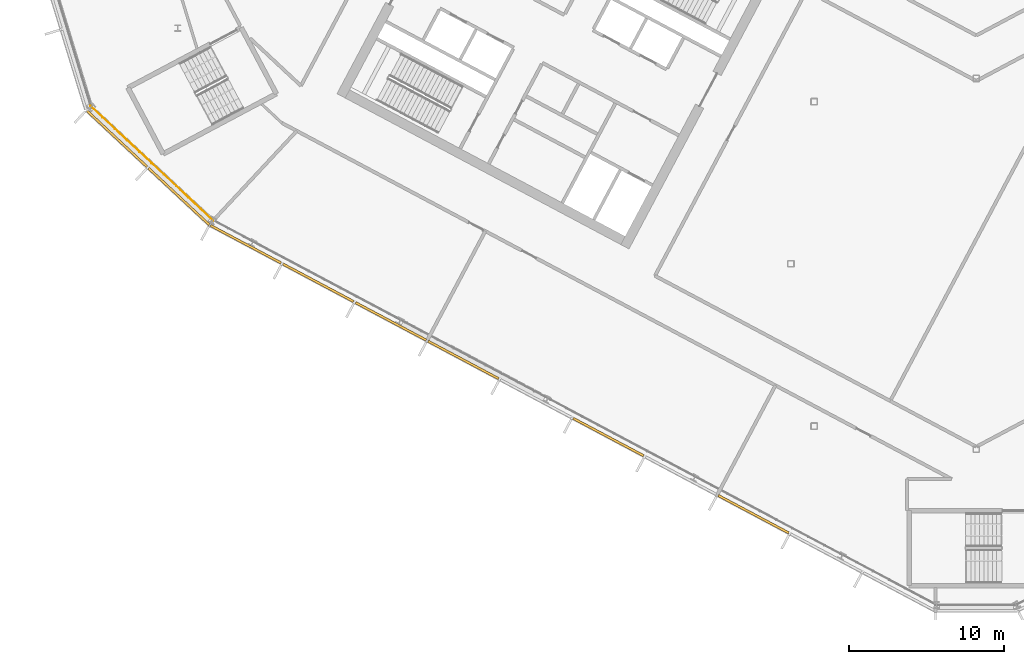
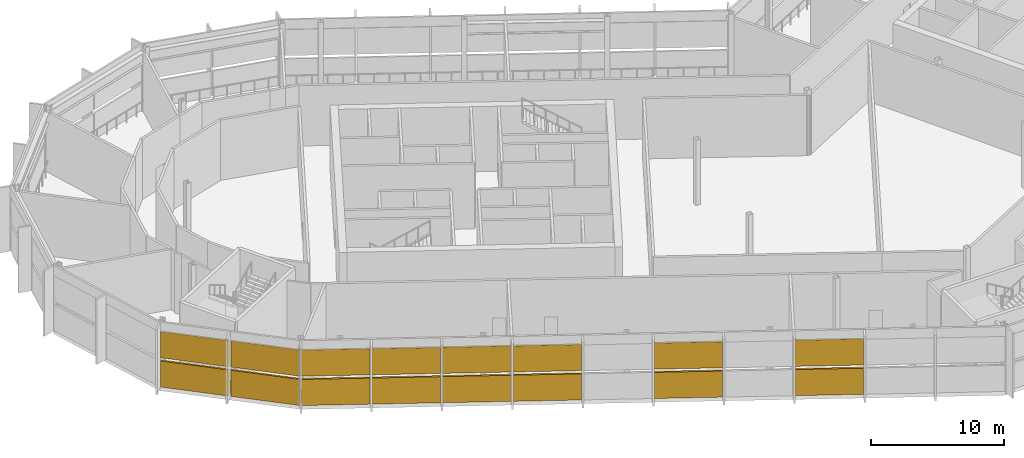
# One storey, part 21 of 33: 16 shading devices, 1 railing, 2 elements without a shape of their own.
"""IFC4 building model written with IfcOpenShell, lengths in metres."""

from ifc_helpers import new_model, si_unit, direction, frame, origin, origin_2d, place, context, subcontext, project, spatial, polyline, rectangle, outline, extrude, material, layer, layer_set, type_object, element, aggregate, save


model = new_model("IFC4")

# Units and contexts
model_context = context("Model", 3, precision=1e-05, world=origin(), true_north=direction((0.0, 1.0)))
body_context = subcontext(model_context, "Body", "Model", "MODEL_VIEW")
ifc_project = project(units=[si_unit("LENGTHUNIT", "METRE"), si_unit("AREAUNIT", "SQUARE_METRE"), si_unit("VOLUMEUNIT", "CUBIC_METRE"), si_unit("PLANEANGLEUNIT", "RADIAN"), si_unit("MASSUNIT", "GRAM", prefix="KILO")], contexts=[model_context])

# Site, building, storey
site_placement = place(None, origin())
site = spatial("IfcSite", under=ifc_project, at=site_placement, CompositionType="ELEMENT")
building_placement = place(site_placement, origin())
building = spatial("IfcBuilding", under=site, at=building_placement, Name="Cormorant Relay Tower", CompositionType="ELEMENT")
storey_placement = place(building_placement, frame((0.0, 0.0, 252.0)))
storey = spatial("IfcBuildingStorey", under=building, at=storey_placement, Name="L56", CompositionType="ELEMENT", Elevation=252.0)

# Railing
ifc_material_1 = material(Name="Stainless steel 316 guard", Category="steel")
railing_type = type_object("IfcRailingType", Name="Band louvre guard 1100", PredefinedType="GUARDRAIL", material=ifc_material_1)
railing_placement = place(storey_placement, frame((-57.337158203125, 10.21728515625, 0.0)))
element("IfcRailing", 1, at=railing_placement, inside=storey, type_object=railing_type, Name="CW4 guard 15", PredefinedType="GUARDRAIL", context=body_context, shape_type="SweptSolid", body=[
    extrude(outline(polyline([(0.022216796875, 0.00927734375), (0.00927734375, 0.022216796875), (-0.00927734375, 0.022216796875), (-0.022216796875, 0.00927734375), (-0.022216796875, -0.00927734375), (-0.00927734375, -0.022216796875), (0.00927734375, -0.022216796875), (0.022216796875, -0.00927734375), (0.022216796875, 0.00927734375)])), frame((0.0, 0.0, 1.076171875), z_axis=(0.731358420696, -0.681993299437, 0.0), x_axis=(0.681993299437, 0.731358420696, 0.0)), (0.0, 0.0, 1.0), 10.870361328125),
    extrude(outline(polyline([(0.019287109375, 0.008056640625), (0.008056640625, 0.019287109375), (-0.008056640625, 0.019287109375), (-0.019287109375, 0.008056640625), (-0.019287109375, -0.008056640625), (-0.008056640625, -0.019287109375), (0.008056640625, -0.019287109375), (0.019287109375, -0.008056640625), (0.019287109375, 0.008056640625)])), origin(), (0.0, 0.0, 1.0), 1.052001953125),
    extrude(outline(polyline([(0.019287109375, 0.008056640625), (0.008056640625, 0.019287109375), (-0.008056640625, 0.019287109375), (-0.019287109375, 0.008056640625), (-0.019287109375, -0.008056640625), (-0.008056640625, -0.019287109375), (0.008056640625, -0.019287109375), (0.019287109375, -0.008056640625), (0.019287109375, 0.008056640625)])), frame((0.794921875, -0.741455078125, 0.0)), (0.0, 0.0, 1.0), 1.052001953125),
    extrude(outline(polyline([(0.019287109375, 0.008056640625), (0.008056640625, 0.019287109375), (-0.008056640625, 0.019287109375), (-0.019287109375, 0.008056640625), (-0.019287109375, -0.008056640625), (-0.008056640625, -0.019287109375), (0.008056640625, -0.019287109375), (0.019287109375, -0.008056640625), (0.019287109375, 0.008056640625)])), frame((1.590087890625, -1.482666015625, 0.0)), (0.0, 0.0, 1.0), 1.052001953125),
    extrude(outline(polyline([(0.019287109375, 0.008056640625), (0.008056640625, 0.019287109375), (-0.008056640625, 0.019287109375), (-0.019287109375, 0.008056640625), (-0.019287109375, -0.008056640625), (-0.008056640625, -0.019287109375), (0.008056640625, -0.019287109375), (0.019287109375, -0.008056640625), (0.019287109375, 0.008056640625)])), frame((2.385009765625, -2.22412109375, 0.0)), (0.0, 0.0, 1.0), 1.052001953125),
    extrude(outline(polyline([(0.019287109375, 0.008056640625), (0.008056640625, 0.019287109375), (-0.008056640625, 0.019287109375), (-0.019287109375, 0.008056640625), (-0.019287109375, -0.008056640625), (-0.008056640625, -0.019287109375), (0.008056640625, -0.019287109375), (0.019287109375, -0.008056640625), (0.019287109375, 0.008056640625)])), frame((3.18017578125, -2.96533203125, 0.0)), (0.0, 0.0, 1.0), 1.052001953125),
    extrude(outline(polyline([(0.019287109375, 0.008056640625), (0.008056640625, 0.019287109375), (-0.008056640625, 0.019287109375), (-0.019287109375, 0.008056640625), (-0.019287109375, -0.008056640625), (-0.008056640625, -0.019287109375), (0.008056640625, -0.019287109375), (0.019287109375, -0.008056640625), (0.019287109375, 0.008056640625)])), frame((3.97509765625, -3.706787109375, 0.0)), (0.0, 0.0, 1.0), 1.052001953125),
    extrude(outline(polyline([(0.019287109375, 0.008056640625), (0.008056640625, 0.019287109375), (-0.008056640625, 0.019287109375), (-0.019287109375, 0.008056640625), (-0.019287109375, -0.008056640625), (-0.008056640625, -0.019287109375), (0.008056640625, -0.019287109375), (0.019287109375, -0.008056640625), (0.019287109375, 0.008056640625)])), frame((4.77001953125, -4.4482421875, 0.0)), (0.0, 0.0, 1.0), 1.052001953125),
    extrude(outline(polyline([(0.019287109375, 0.008056640625), (0.008056640625, 0.019287109375), (-0.008056640625, 0.019287109375), (-0.019287109375, 0.008056640625), (-0.019287109375, -0.008056640625), (-0.008056640625, -0.019287109375), (0.008056640625, -0.019287109375), (0.019287109375, -0.008056640625), (0.019287109375, 0.008056640625)])), frame((5.565185546875, -5.189453125, 0.0)), (0.0, 0.0, 1.0), 1.052001953125),
    extrude(outline(polyline([(0.019287109375, 0.008056640625), (0.008056640625, 0.019287109375), (-0.008056640625, 0.019287109375), (-0.019287109375, 0.008056640625), (-0.019287109375, -0.008056640625), (-0.008056640625, -0.019287109375), (0.008056640625, -0.019287109375), (0.019287109375, -0.008056640625), (0.019287109375, 0.008056640625)])), frame((6.360107421875, -5.930908203125, 0.0)), (0.0, 0.0, 1.0), 1.052001953125),
    extrude(outline(polyline([(0.019287109375, 0.008056640625), (0.008056640625, 0.019287109375), (-0.008056640625, 0.019287109375), (-0.019287109375, 0.008056640625), (-0.019287109375, -0.008056640625), (-0.008056640625, -0.019287109375), (0.008056640625, -0.019287109375), (0.019287109375, -0.008056640625), (0.019287109375, 0.008056640625)])), frame((7.1552734375, -6.672119140625, 0.0)), (0.0, 0.0, 1.0), 1.052001953125),
    extrude(outline(polyline([(0.019287109375, 0.008056640625), (0.008056640625, 0.019287109375), (-0.008056640625, 0.019287109375), (-0.019287109375, 0.008056640625), (-0.019287109375, -0.008056640625), (-0.008056640625, -0.019287109375), (0.008056640625, -0.019287109375), (0.019287109375, -0.008056640625), (0.019287109375, 0.008056640625)])), frame((7.9501953125, -7.41357421875, 0.0)), (0.0, 0.0, 1.0), 1.052001953125),
])

# Curtain wall, shading devices
ifc_material_2 = material(Name="Aluminium 6063-T6 anodised bronze", Category="aluminium")
ifc_layer = layer(ifc_material_2, 0.199951171875)
ifc_layer_set = layer_set([ifc_layer], Name="CW4 band louvre wall")
curtain_wall_type = type_object("IfcCurtainWallType", Name="CW4 band louvre wall", PredefinedType="NOTDEFINED", material=ifc_layer_set)
curtain_wall_1_placement = place(storey_placement, origin())
curtain_wall_1 = element("IfcCurtainWall", 2, at=curtain_wall_1_placement, inside=storey, type_object=curtain_wall_type, Name="CW4 curtain wall 15", PredefinedType="NOTDEFINED")
ifc_material_3 = material(Name="Aluminium 6063-T6 anodised bronze louvre", Category="aluminium")
shading_device_type = type_object("IfcShadingDeviceType", Name="CW4 bronze louvre bank 150 x 2400", PredefinedType="USERDEFINED", material=ifc_material_3)
shading_device_1_placement = place(storey_placement, frame((-55.605224609375, 8.089599609375, 2.699951171875), z_axis=(0.0, 0.0, 1.0), x_axis=(0.731353701619, -0.681998360062, 0.0)))
shading_device_1 = element("IfcShadingDevice", 3, at=shading_device_1_placement, type_object=shading_device_type, Name="CW4 louvre bank U15.1", ObjectType="LOUVRE", PredefinedType="USERDEFINED", context=body_context, shape_type="SweptSolid", body=[
    extrude(rectangle(XDim=5.28515625, YDim=0.14990234375, at=origin_2d()), origin(), (0.0, 0.0, 1.0), 2.39990234375),
])
shading_device_2_placement = place(storey_placement, frame((-55.605224609375, 8.089599609375, 0.0), z_axis=(0.0, 0.0, 1.0), x_axis=(0.731353701619, -0.681998360062, 0.0)))
shading_device_2 = element("IfcShadingDevice", 4, at=shading_device_2_placement, type_object=shading_device_type, Name="CW4 louvre bank D15.1", ObjectType="LOUVRE", PredefinedType="USERDEFINED", context=body_context, shape_type="SweptSolid", body=[
    extrude(rectangle(XDim=5.28515625, YDim=0.14990234375, at=origin_2d()), origin(), (0.0, 0.0, 1.0), 2.39990234375),
])
shading_device_3_placement = place(storey_placement, frame((-51.602783203125, 4.357421875, 2.699951171875), z_axis=(0.0, 0.0, 1.0), x_axis=(0.731353701619, -0.681998360062, 0.0)))
shading_device_3 = element("IfcShadingDevice", 5, at=shading_device_3_placement, type_object=shading_device_type, Name="CW4 louvre bank U15.2", ObjectType="LOUVRE", PredefinedType="USERDEFINED", context=body_context, shape_type="SweptSolid", body=[
    extrude(rectangle(XDim=5.360107421875, YDim=0.14990234375, at=origin_2d()), origin(), (0.0, 0.0, 1.0), 2.39990234375),
])
shading_device_4_placement = place(storey_placement, frame((-51.602783203125, 4.357421875, 0.0), z_axis=(0.0, 0.0, 1.0), x_axis=(0.731353701619, -0.681998360062, 0.0)))
shading_device_4 = element("IfcShadingDevice", 6, at=shading_device_4_placement, type_object=shading_device_type, Name="CW4 louvre bank D15.2", ObjectType="LOUVRE", PredefinedType="USERDEFINED", context=body_context, shape_type="SweptSolid", body=[
    extrude(rectangle(XDim=5.360107421875, YDim=0.14990234375, at=origin_2d()), origin(), (0.0, 0.0, 1.0), 2.39990234375),
])
aggregate(curtain_wall_1, [shading_device_1, shading_device_2, shading_device_3, shading_device_4])

curtain_wall_2_placement = place(storey_placement, origin())
curtain_wall_2 = element("IfcCurtainWall", 7, at=curtain_wall_2_placement, inside=storey, type_object=curtain_wall_type, Name="CW4 curtain wall 16", PredefinedType="NOTDEFINED")
shading_device_5_placement = place(storey_placement, frame((-47.279541015625, 1.27001953125, 2.699951171875), z_axis=(0.0, 0.0, 1.0), x_axis=(0.882947592859, -0.469471562786, 0.0)))
shading_device_5 = element("IfcShadingDevice", 8, at=shading_device_5_placement, type_object=shading_device_type, Name="CW4 louvre bank U16.1", ObjectType="LOUVRE", PredefinedType="USERDEFINED", context=body_context, shape_type="SweptSolid", body=[
    extrude(rectangle(XDim=5.16650390625, YDim=0.14990234375, at=origin_2d()), origin(), (0.0, 0.0, 1.0), 2.39990234375),
])
shading_device_6_placement = place(storey_placement, frame((-47.279541015625, 1.27001953125, 0.0), z_axis=(0.0, 0.0, 1.0), x_axis=(0.882947592859, -0.469471562786, 0.0)))
shading_device_6 = element("IfcShadingDevice", 9, at=shading_device_6_placement, type_object=shading_device_type, Name="CW4 louvre bank D16.1", ObjectType="LOUVRE", PredefinedType="USERDEFINED", context=body_context, shape_type="SweptSolid", body=[
    extrude(rectangle(XDim=5.16650390625, YDim=0.14990234375, at=origin_2d()), origin(), (0.0, 0.0, 1.0), 2.39990234375),
])
shading_device_7_placement = place(storey_placement, frame((-42.585205078125, -1.225830078125, 2.699951171875), z_axis=(0.0, 0.0, 1.0), x_axis=(0.882947592859, -0.469471562786, 0.0)))
shading_device_7 = element("IfcShadingDevice", 10, at=shading_device_7_placement, type_object=shading_device_type, Name="CW4 louvre bank U16.2", ObjectType="LOUVRE", PredefinedType="USERDEFINED", context=body_context, shape_type="SweptSolid", body=[
    extrude(rectangle(XDim=5.16650390625, YDim=0.14990234375, at=origin_2d()), origin(), (0.0, 0.0, 1.0), 2.39990234375),
])
shading_device_8_placement = place(storey_placement, frame((-42.585205078125, -1.225830078125, 0.0), z_axis=(0.0, 0.0, 1.0), x_axis=(0.882947592859, -0.469471562786, 0.0)))
shading_device_8 = element("IfcShadingDevice", 11, at=shading_device_8_placement, type_object=shading_device_type, Name="CW4 louvre bank D16.2", ObjectType="LOUVRE", PredefinedType="USERDEFINED", context=body_context, shape_type="SweptSolid", body=[
    extrude(rectangle(XDim=5.16650390625, YDim=0.14990234375, at=origin_2d()), origin(), (0.0, 0.0, 1.0), 2.39990234375),
])
shading_device_9_placement = place(storey_placement, frame((-37.89111328125, -3.721923828125, 2.699951171875), z_axis=(0.0, 0.0, 1.0), x_axis=(0.882947592859, -0.469471562786, 0.0)))
shading_device_9 = element("IfcShadingDevice", 12, at=shading_device_9_placement, type_object=shading_device_type, Name="CW4 louvre bank U16.3", ObjectType="LOUVRE", PredefinedType="USERDEFINED", context=body_context, shape_type="SweptSolid", body=[
    extrude(rectangle(XDim=5.16650390625, YDim=0.14990234375, at=origin_2d()), origin(), (0.0, 0.0, 1.0), 2.39990234375),
])
shading_device_10_placement = place(storey_placement, frame((-37.89111328125, -3.721923828125, 0.0), z_axis=(0.0, 0.0, 1.0), x_axis=(0.882947592859, -0.469471562786, 0.0)))
shading_device_10 = element("IfcShadingDevice", 13, at=shading_device_10_placement, type_object=shading_device_type, Name="CW4 louvre bank D16.3", ObjectType="LOUVRE", PredefinedType="USERDEFINED", context=body_context, shape_type="SweptSolid", body=[
    extrude(rectangle(XDim=5.16650390625, YDim=0.14990234375, at=origin_2d()), origin(), (0.0, 0.0, 1.0), 2.39990234375),
])
shading_device_11_placement = place(storey_placement, frame((-33.19677734375, -6.218017578125, 2.699951171875), z_axis=(0.0, 0.0, 1.0), x_axis=(0.882947592859, -0.469471562786, 0.0)))
shading_device_11 = element("IfcShadingDevice", 14, at=shading_device_11_placement, type_object=shading_device_type, Name="CW4 louvre bank U16.4", ObjectType="LOUVRE", PredefinedType="USERDEFINED", context=body_context, shape_type="SweptSolid", body=[
    extrude(rectangle(XDim=5.16650390625, YDim=0.14990234375, at=origin_2d()), origin(), (0.0, 0.0, 1.0), 2.39990234375),
])
shading_device_12_placement = place(storey_placement, frame((-33.19677734375, -6.218017578125, 0.0), z_axis=(0.0, 0.0, 1.0), x_axis=(0.882947592859, -0.469471562786, 0.0)))
shading_device_12 = element("IfcShadingDevice", 15, at=shading_device_12_placement, type_object=shading_device_type, Name="CW4 louvre bank D16.4", ObjectType="LOUVRE", PredefinedType="USERDEFINED", context=body_context, shape_type="SweptSolid", body=[
    extrude(rectangle(XDim=5.16650390625, YDim=0.14990234375, at=origin_2d()), origin(), (0.0, 0.0, 1.0), 2.39990234375),
])
shading_device_13_placement = place(storey_placement, frame((-23.808349609375, -11.209716796875, 2.699951171875), z_axis=(0.0, 0.0, 1.0), x_axis=(0.882947592859, -0.469471562786, 0.0)))
shading_device_13 = element("IfcShadingDevice", 16, at=shading_device_13_placement, type_object=shading_device_type, Name="CW4 louvre bank U16.6", ObjectType="LOUVRE", PredefinedType="USERDEFINED", context=body_context, shape_type="SweptSolid", body=[
    extrude(rectangle(XDim=5.16650390625, YDim=0.14990234375, at=origin_2d()), origin(), (0.0, 0.0, 1.0), 2.39990234375),
])
shading_device_14_placement = place(storey_placement, frame((-23.808349609375, -11.209716796875, 0.0), z_axis=(0.0, 0.0, 1.0), x_axis=(0.882947592859, -0.469471562786, 0.0)))
shading_device_14 = element("IfcShadingDevice", 17, at=shading_device_14_placement, type_object=shading_device_type, Name="CW4 louvre bank D16.6", ObjectType="LOUVRE", PredefinedType="USERDEFINED", context=body_context, shape_type="SweptSolid", body=[
    extrude(rectangle(XDim=5.16650390625, YDim=0.14990234375, at=origin_2d()), origin(), (0.0, 0.0, 1.0), 2.39990234375),
])
shading_device_15_placement = place(storey_placement, frame((-14.419677734375, -16.201904296875, 2.699951171875), z_axis=(0.0, 0.0, 1.0), x_axis=(0.882947592859, -0.469471562786, 0.0)))
shading_device_15 = element("IfcShadingDevice", 18, at=shading_device_15_placement, type_object=shading_device_type, Name="CW4 louvre bank U16.8", ObjectType="LOUVRE", PredefinedType="USERDEFINED", context=body_context, shape_type="SweptSolid", body=[
    extrude(rectangle(XDim=5.16650390625, YDim=0.14990234375, at=origin_2d()), origin(), (0.0, 0.0, 1.0), 2.39990234375),
])
shading_device_16_placement = place(storey_placement, frame((-14.419677734375, -16.201904296875, 0.0), z_axis=(0.0, 0.0, 1.0), x_axis=(0.882947592859, -0.469471562786, 0.0)))
shading_device_16 = element("IfcShadingDevice", 19, at=shading_device_16_placement, type_object=shading_device_type, Name="CW4 louvre bank D16.8", ObjectType="LOUVRE", PredefinedType="USERDEFINED", context=body_context, shape_type="SweptSolid", body=[
    extrude(rectangle(XDim=5.16650390625, YDim=0.14990234375, at=origin_2d()), origin(), (0.0, 0.0, 1.0), 2.39990234375),
])
aggregate(curtain_wall_2, [shading_device_5, shading_device_6, shading_device_7, shading_device_8, shading_device_9, shading_device_10, shading_device_11, shading_device_12, shading_device_13, shading_device_14, shading_device_15, shading_device_16])

save(model, "model.ifc")
